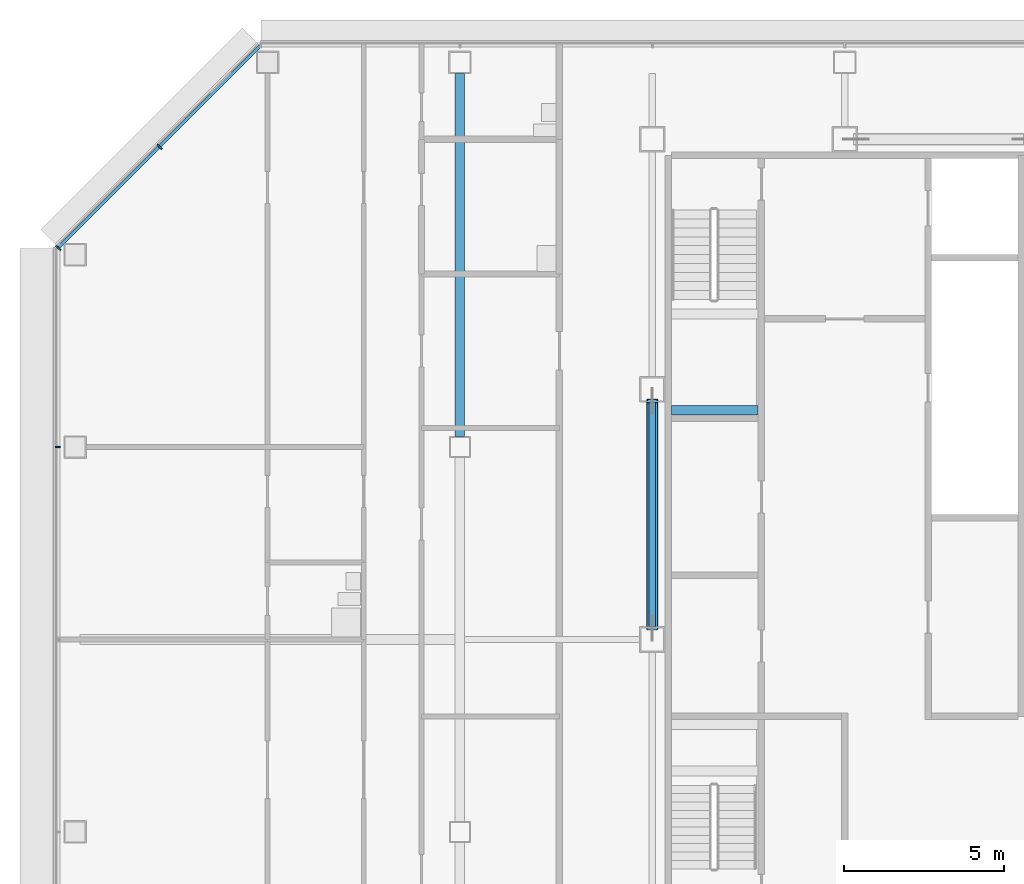
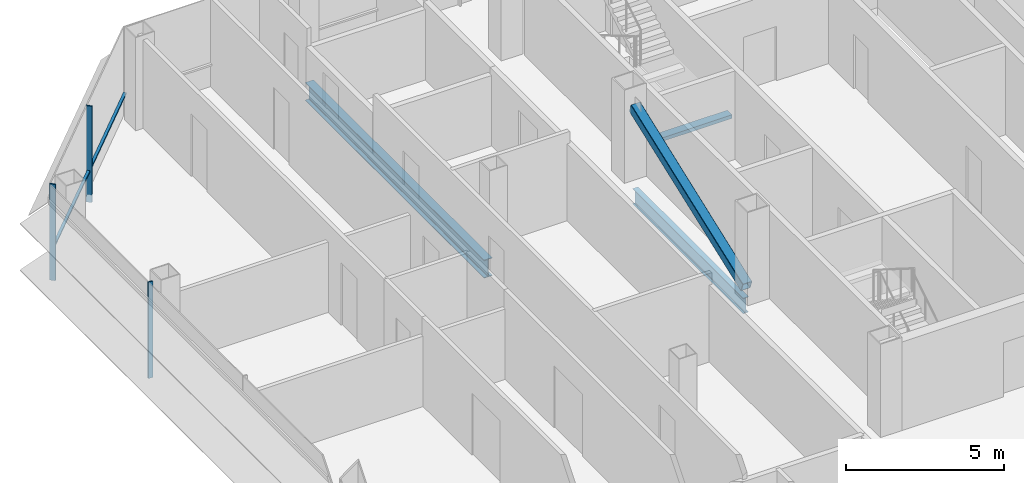
# One storey, part 10 of 27: 5 members, 3 beams, 2 elements without a shape of their own.
"""IFC4 building model written with IfcOpenShell, lengths in metres."""

from ifc_helpers import new_model, si_unit, direction, frame, origin, origin_2d, place, context, subcontext, project, spatial, rectangle, hollow_rectangle, i_section, extrude, material, material_profile, profile_set, type_object, element, aggregate, save


model = new_model("IFC4")

# Units and contexts
model_context = context("Model", 3, precision=1e-05, world=origin(), true_north=direction((0.0, 1.0)))
body_context = subcontext(model_context, "Body", "Model", "MODEL_VIEW")
ifc_project = project(units=[si_unit("LENGTHUNIT", "METRE"), si_unit("AREAUNIT", "SQUARE_METRE"), si_unit("VOLUMEUNIT", "CUBIC_METRE"), si_unit("PLANEANGLEUNIT", "RADIAN"), si_unit("MASSUNIT", "GRAM", prefix="KILO")], contexts=[model_context])

# Site, building, storey
site_placement = place(None, origin())
site = spatial("IfcSite", under=ifc_project, at=site_placement, CompositionType="ELEMENT")
building_placement = place(site_placement, origin())
building = spatial("IfcBuilding", under=site, at=building_placement, Name="Sorahane Residences", CompositionType="ELEMENT")
storey_placement = place(building_placement, frame((0.0, 0.0, 192.0)))
storey = spatial("IfcBuildingStorey", under=building, at=storey_placement, Name="L44", CompositionType="ELEMENT", Elevation=192.0)

# Member
ifc_material_1 = material(Name="Steel Q355B", Category="steel")
ifc_material_profile_1 = material_profile(ifc_material_1, hollow_rectangle(XDim=0.35009765625, YDim=0.35009765625, WallThickness=0.01806640625, InnerFilletRadius=0.009033203125, OuterFilletRadius=0.027099609375, at=origin_2d()), Name="RHS 350x350x18")
ifc_profile_set_1 = profile_set([ifc_material_profile_1], Name="Steel Q355B")
member_type_1 = type_object("IfcMemberType", Name="Core brace RHS 350x350x18 Q355B", PredefinedType="BRACE", material=ifc_profile_set_1)
member_1_placement = place(storey_placement, frame((6.0, 30.36328125, 0.1611328125), z_axis=(0.0, 0.936540224974, 0.350560133222), x_axis=(-1.0, 0.0, 0.0)))
element("IfcMember", 1, at=member_1_placement, inside=storey, type_object=member_type_1, Name="Core brace L44 x6-2", PredefinedType="BRACE", context=body_context, shape_type="SweptSolid", body=[
    extrude(hollow_rectangle(XDim=0.35009765625, YDim=0.35009765625, WallThickness=0.01806640625, InnerFilletRadius=0.009033203125, OuterFilletRadius=0.027099609375, at=origin_2d()), origin(), (0.0, 0.0, 1.0), 7.552734375),
])

# Curtain wall, member
ifc_material_2 = material(Name="Dark low-e glass and black anodised aluminium", Category="aluminium")
curtain_wall_type_1 = type_object("IfcCurtainWallType", Name="Curtain wall CW-1 Typical unitised wall", PredefinedType="NOTDEFINED", material=ifc_material_2)
curtain_wall_1_placement = place(storey_placement, origin())
curtain_wall_1 = element("IfcCurtainWall", 2, at=curtain_wall_1_placement, inside=storey, type_object=curtain_wall_type_1, Name="CW-1 curtain wall L44 W1", PredefinedType="NOTDEFINED")
ifc_material_3 = material(Name="Black anodised aluminium", Category="aluminium")
ifc_material_profile_2 = material_profile(ifc_material_3, rectangle(XDim=0.159912109375, YDim=0.050048828125, at=origin_2d()), Name="Curtain wall mullion CW-1 black anodised aluminium 50x160")
ifc_profile_set_2 = profile_set([ifc_material_profile_2], Name="Black anodised aluminium")
member_type_2 = type_object("IfcMemberType", Name="Curtain wall mullion CW-1 black anodised aluminium 50x160", PredefinedType="MULLION", material=ifc_profile_set_2)
member_2_placement = place(storey_placement, frame((-12.5400390625, 36.0, -0.300048828125), z_axis=(0.0, 0.0, 1.0), x_axis=(-1.0, 0.0, 0.0)))
member_2 = element("IfcMember", 3, at=member_2_placement, type_object=member_type_2, Name="CW-1 mullion L44 W1.2", PredefinedType="MULLION", context=body_context, shape_type="SweptSolid", body=[
    extrude(rectangle(XDim=0.159912109375, YDim=0.050048828125, at=origin_2d()), origin(), (0.0, 0.0, 1.0), 3.719970703125),
])
aggregate(curtain_wall_1, [member_2])

# Curtain wall, members
ifc_material_4 = material(Name="Dark low-e glass and black anodised aluminium", Category="aluminium")
curtain_wall_type_2 = type_object("IfcCurtainWallType", Name="Curtain wall CW-2 Chamfer unitised wall", PredefinedType="NOTDEFINED", material=ifc_material_4)
curtain_wall_2_placement = place(storey_placement, origin())
curtain_wall_2 = element("IfcCurtainWall", 4, at=curtain_wall_2_placement, inside=storey, type_object=curtain_wall_type_2, Name="CW-2 curtain wall L44 NW1", PredefinedType="NOTDEFINED")
ifc_material_5 = material(Name="Black anodised aluminium", Category="aluminium")
ifc_material_profile_3 = material_profile(ifc_material_5, rectangle(XDim=0.199951171875, YDim=0.050048828125, at=origin_2d()), Name="Curtain wall mullion CW-2 black anodised aluminium 50x200")
ifc_profile_set_3 = profile_set([ifc_material_profile_3], Name="Black anodised aluminium")
member_type_3 = type_object("IfcMemberType", Name="Curtain wall mullion CW-2 black anodised aluminium 50x200", PredefinedType="MULLION", material=ifc_profile_set_3)
member_3_placement = place(storey_placement, frame((-9.36767578125, 45.36767578125, -0.300048828125), z_axis=(0.0, 0.0, 1.0), x_axis=(-0.707106781187, 0.707106781187, 0.0)))
member_3 = element("IfcMember", 5, at=member_3_placement, type_object=member_type_3, Name="CW-2 mullion L44 NW1.2", PredefinedType="MULLION", context=body_context, shape_type="SweptSolid", body=[
    extrude(rectangle(XDim=0.199951171875, YDim=0.050048828125, at=origin_2d()), origin(), (0.0, 0.0, 1.0), 3.719970703125),
])
member_4_placement = place(storey_placement, frame((-12.525634765625, 42.209716796875, -0.300048828125), z_axis=(0.0, 0.0, 1.0), x_axis=(-0.707106781187, 0.707106781187, 0.0)))
member_4 = element("IfcMember", 6, at=member_4_placement, type_object=member_type_3, Name="CW-2 mullion L44 NW1.3", PredefinedType="MULLION", context=body_context, shape_type="SweptSolid", body=[
    extrude(rectangle(XDim=0.199951171875, YDim=0.050048828125, at=origin_2d()), origin(), (0.0, 0.0, 1.0), 3.719970703125),
])
ifc_material_6 = material(Name="Black anodised aluminium", Category="aluminium")
ifc_material_profile_4 = material_profile(ifc_material_6, rectangle(XDim=0.10009765625, YDim=0.06005859375, at=origin_2d()), Name="Curtain wall transom CW-2 black anodised aluminium 60x100")
ifc_profile_set_4 = profile_set([ifc_material_profile_4], Name="Black anodised aluminium")
member_type_4 = type_object("IfcMemberType", Name="Curtain wall transom CW-2 black anodised aluminium 60x100", PredefinedType="USERDEFINED", material=ifc_profile_set_4)
member_5_placement = place(storey_placement, frame((-6.234375, 48.51513671875, 0.89990234375), z_axis=(-0.707106781187, -0.707106781187, 0.0), x_axis=(0.707106781187, -0.707106781187, 0.0)))
member_5 = element("IfcMember", 7, at=member_5_placement, type_object=member_type_4, Name="CW-2 transom L44 NW1", ObjectType="TRANSOM", PredefinedType="USERDEFINED", context=body_context, shape_type="SweptSolid", body=[
    extrude(rectangle(XDim=0.10009765625, YDim=0.06005859375, at=origin_2d()), origin(), (0.0, 0.0, 1.0), 8.88232421875),
])
aggregate(curtain_wall_2, [member_3, member_4, member_5])

# Beams
ifc_material_7 = material(Name="Concrete C40", Category="concrete")
ifc_material_profile_5 = material_profile(ifc_material_7, rectangle(XDim=0.300048828125, YDim=0.139892578125, at=origin_2d()), Name="300x140")
ifc_profile_set_5 = profile_set([ifc_material_profile_5], Name="Concrete C40")
beam_type_1 = type_object("IfcBeamType", Name="RC landing beam 300 x 140 Concrete C40", PredefinedType="BEAM", material=ifc_profile_set_5)
beam_1_placement = place(storey_placement, frame((6.60009765625, 37.14990234375, 1.530029296875), z_axis=(1.0, 0.0, 0.0), x_axis=(0.0, 1.0, 0.0)))
element("IfcBeam", 8, at=beam_1_placement, inside=storey, type_object=beam_type_1, Name="Landing beam", PredefinedType="BEAM", context=body_context, shape_type="SweptSolid", body=[
    extrude(rectangle(XDim=0.300048828125, YDim=0.139892578125, at=origin_2d()), origin(), (0.0, 0.0, 1.0), 2.699951171875),
])
ifc_material_8 = material(Name="Steel Q355B", Category="steel")
ifc_material_profile_6 = material_profile(ifc_material_8, i_section(OverallWidth=0.199951171875, OverallDepth=0.60009765625, WebThickness=0.010986328125, FlangeThickness=0.01708984375, FilletRadius=0.02392578125, at=origin_2d()), Name="HN 600x200x11x17")
ifc_profile_set_6 = profile_set([ifc_material_profile_6], Name="Steel Q355B")
beam_type_2 = type_object("IfcBeamType", Name="Steel floor beam HN 600x200x11x17 Q355B", PredefinedType="BEAM", material=ifc_profile_set_6)
beam_2_placement = place(storey_placement, frame((6.0, 30.39990234375, -0.60009765625), z_axis=(0.0, 1.0, 0.0), x_axis=(-1.0, 0.0, 0.0)))
element("IfcBeam", 9, at=beam_2_placement, inside=storey, type_object=beam_type_2, Name="Beam L44 010", PredefinedType="BEAM", context=body_context, shape_type="SweptSolid", body=[
    extrude(i_section(OverallWidth=0.199951171875, OverallDepth=0.60009765625, WebThickness=0.010986328125, FlangeThickness=0.01708984375, FilletRadius=0.02392578125, at=origin_2d()), origin(), (0.0, 0.0, 1.0), 7.0),
])
ifc_material_9 = material(Name="Steel Q355B", Category="steel")
ifc_material_profile_7 = material_profile(ifc_material_9, i_section(OverallWidth=0.300048828125, OverallDepth=0.699951171875, WebThickness=0.012939453125, FlangeThickness=0.02392578125, FilletRadius=0.028076171875, at=origin_2d()), Name="HN 700x300x13x24")
ifc_profile_set_7 = profile_set([ifc_material_profile_7], Name="Steel Q355B")
beam_type_3 = type_object("IfcBeamType", Name="Steel floor beam HN 700x300x13x24 Q355B", PredefinedType="BEAM", material=ifc_profile_set_7)
beam_3_placement = place(storey_placement, frame((0.0, 36.324951171875, -0.64990234375), z_axis=(0.0, 1.0, 0.0), x_axis=(-1.0, 0.0, 0.0)))
element("IfcBeam", 10, at=beam_3_placement, inside=storey, type_object=beam_type_3, Name="Beam L44 005", PredefinedType="BEAM", context=body_context, shape_type="SweptSolid", body=[
    extrude(i_section(OverallWidth=0.300048828125, OverallDepth=0.699951171875, WebThickness=0.012939453125, FlangeThickness=0.02392578125, FilletRadius=0.028076171875, at=origin_2d()), origin(), (0.0, 0.0, 1.0), 11.324951171875),
])

save(model, "model.ifc")
